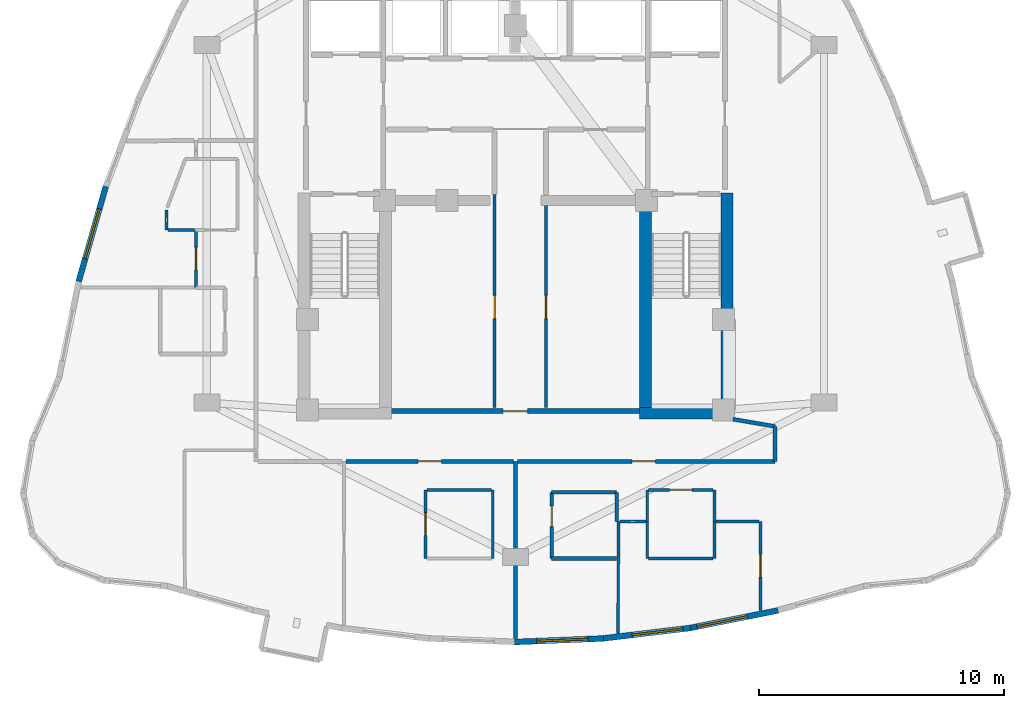
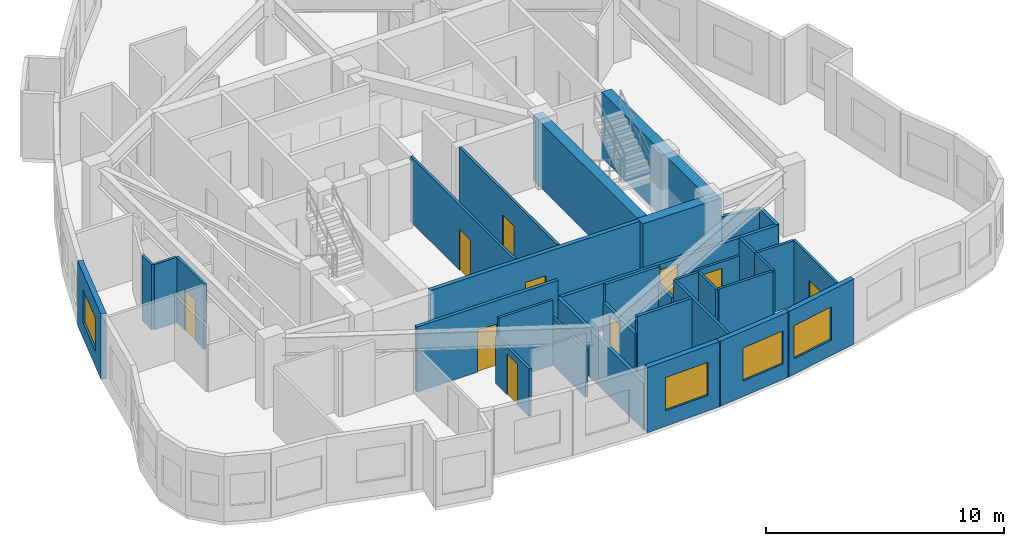
# One storey, part 8 of 13: 35 walls, 10 doors, 4 windows, 14 openings.
"""IFC4 building model written with IfcOpenShell, lengths in metres."""

from ifc_helpers import new_model, si_unit, direction, frame, frame_2d, origin, place, context, subcontext, project, spatial, rectangle, extrude, material, layer, layer_set, type_object, element, fill, save


model = new_model("IFC4")

# Units and contexts
model_context = context("Model", 3, precision=1e-05, world=origin(), true_north=direction((0.0, 1.0)))
body_context = subcontext(model_context, "Body", "Model", "MODEL_VIEW")
ifc_project = project(units=[si_unit("LENGTHUNIT", "METRE"), si_unit("AREAUNIT", "SQUARE_METRE"), si_unit("VOLUMEUNIT", "CUBIC_METRE"), si_unit("PLANEANGLEUNIT", "RADIAN"), si_unit("MASSUNIT", "GRAM", prefix="KILO")], contexts=[model_context])

# Site, building, storey
site_placement = place(None, origin())
site = spatial("IfcSite", under=ifc_project, at=site_placement, CompositionType="ELEMENT")
building_placement = place(site_placement, origin())
building = spatial("IfcBuilding", under=site, at=building_placement, Name="Miruveldt Soraemaru", CompositionType="ELEMENT")
storey_placement = place(building_placement, frame((0.0, 0.0, 198.0)))
storey = spatial("IfcBuildingStorey", under=building, at=storey_placement, Name="L54", CompositionType="ELEMENT", Elevation=198.0)

# Walls
ifc_material_1 = material(Name="Concrete C60/75 (60 MPa)", Category="concrete")
ifc_layer_1 = layer(ifc_material_1, 0.47998046875, Name="Concrete C60/75 (60 MPa)", Category="concrete")
ifc_layer_set_1 = layer_set([ifc_layer_1], Name="Concrete C60/75 (60 MPa)")
wall_type_1 = type_object("IfcWallType", Name="WALL-CW-480", PredefinedType="SHEAR", material=ifc_layer_set_1)
wall_1_placement = place(storey_placement, frame((49.070068359375, 35.360107421875, 0.0), z_axis=(0.0, 0.0, 1.0), x_axis=(1.0, 0.0, 0.0)))
element("IfcWall", 1, at=wall_1_placement, inside=storey, type_object=wall_type_1, Name="L54 Central Core Shear Wall S2", PredefinedType="SHEAR", context=body_context, shape_type="SweptSolid", body=[
    extrude(rectangle(XDim=3.809814453125, YDim=0.47998046875, at=frame_2d((1.90478515625, 0.0))), origin(), (0.0, 0.0, 1.0), 3.344970703125),
])
wall_2_placement = place(storey_placement, frame((52.639892578125, 35.1201171875, 0.0), z_axis=(0.0, 0.0, 1.0), x_axis=(0.0, 1.0, 0.0)))
element("IfcWall", 2, at=wall_2_placement, inside=storey, type_object=wall_type_1, Name="L54 Central Core Shear Wall E1", PredefinedType="SHEAR", context=body_context, shape_type="SweptSolid", body=[
    extrude(rectangle(XDim=9.22998046875, YDim=0.47998046875, at=frame_2d((4.614990234375, 0.0))), origin(), (0.0, 0.0, 1.0), 3.344970703125),
])
wall_3_placement = place(storey_placement, frame((49.31005859375, 35.39990234375, 0.0), z_axis=(0.0, 0.0, 1.0), x_axis=(0.0, 1.0, 0.0)))
element("IfcWall", 3, at=wall_3_placement, inside=storey, type_object=wall_type_1, Name="L54 Central Core Shear Wall SE-INT", PredefinedType="SHEAR", context=body_context, shape_type="SweptSolid", body=[
    extrude(rectangle(XDim=8.9501953125, YDim=0.47998046875, at=frame_2d((4.47509765625, 0.0))), origin(), (0.0, 0.0, 1.0), 3.344970703125),
])

# Wall, opening, window
ifc_material_2 = material(Name="Precast concrete C45/55 (45 MPa)", Category="concrete")
ifc_layer_2 = layer(ifc_material_2, 0.239990234375, Name="Precast concrete C45/55 (45 MPa)", Category="concrete")
ifc_layer_set_2 = layer_set([ifc_layer_2], Name="Precast concrete C45/55 (45 MPa)")
wall_type_2 = type_object("IfcWallType", Name="WALL-EXT-PC240", PredefinedType="SOLIDWALL", material=ifc_layer_set_2)
wall_4_placement = place(storey_placement, frame((27.270263671875, 44.625732421875, 0.0), z_axis=(0.0, 0.0, 1.0), x_axis=(-0.274960878959, -0.961455415005, 0.0)))
wall_4 = element("IfcWall", 4, at=wall_4_placement, inside=storey, type_object=wall_type_2, Name="L54 Precast Concrete Facade Wall 13", PredefinedType="SOLIDWALL", context=body_context, shape_type="SweptSolid", body=[
    extrude(rectangle(XDim=4.03466796875, YDim=0.239990234375, at=frame_2d((2.017333984375, 0.0))), origin(), (0.0, 0.0, 1.0), 3.344970703125),
])
opening_1_placement = place(wall_4_placement, frame((0.9580078125, 0.0, 0.800048828125)))
opening_1 = element("IfcOpeningElement", 5, at=opening_1_placement, cuts=wall_4, Name="Opening WN-1", PredefinedType="OPENING", context=body_context, shape_type="SweptSolid", body=[
    extrude(rectangle(XDim=2.10009765625, YDim=1.699951171875, at=frame_2d((1.050048828125, 0.85009765625))), frame((0.0, 0.1298828125, 0.0), z_axis=(0.0, -1.0, 0.0), x_axis=(1.0, 0.0, 0.0)), (0.0, 0.0, 1.0), 0.260009765625),
])
ifc_material_3 = material(Name="Triple low-e insulated glazing", Category="glass")
window_type = type_object("IfcWindowType", Name="WIN-PUNCH-2100x1700", PartitioningType="SINGLE_PANEL", PredefinedType="WINDOW", material=ifc_material_3)
window_1_placement = place(opening_1_placement, origin())
window_1 = element("IfcWindow", 6, at=window_1_placement, inside=storey, type_object=window_type, Name="L54 Punched Triple-Glazed Window 13.1", OverallHeight=1.699951171875, OverallWidth=2.10009765625, PartitioningType="SINGLE_PANEL", PredefinedType="WINDOW", context=body_context, shape_type="SweptSolid", body=[
    extrude(rectangle(XDim=2.10009765625, YDim=1.699951171875, at=frame_2d((1.050048828125, 0.85009765625))), frame((0.0, 0.030029296875, 0.0), z_axis=(0.0, -1.0, 0.0), x_axis=(1.0, 0.0, 0.0)), (0.0, 0.0, 1.0), 0.06005859375),
])
fill(opening_1, window_1)

wall_5_placement = place(storey_placement, frame((43.965087890625, 26.022705078125, 0.0), z_axis=(0.0, 0.0, 1.0), x_axis=(0.999201387771, 0.039957310688, 0.0)))
wall_5 = element("IfcWall", 7, at=wall_5_placement, inside=storey, type_object=wall_type_2, Name="L54 Precast Concrete Facade Wall 25", PredefinedType="SOLIDWALL", context=body_context, shape_type="SweptSolid", body=[
    extrude(rectangle(XDim=3.635498046875, YDim=0.239990234375, at=frame_2d((1.81787109375, 0.0))), origin(), (0.0, 0.0, 1.0), 3.344970703125),
])
opening_2_placement = place(wall_5_placement, frame((0.907958984375, 0.0, 0.800048828125)))
opening_2 = element("IfcOpeningElement", 8, at=opening_2_placement, cuts=wall_5, Name="Opening WN-1", PredefinedType="OPENING", context=body_context, shape_type="SweptSolid", body=[
    extrude(rectangle(XDim=2.10009765625, YDim=1.699951171875, at=frame_2d((1.050048828125, 0.85009765625))), frame((0.0, 0.1298828125, 0.0), z_axis=(0.0, -1.0, 0.0), x_axis=(1.0, 0.0, 0.0)), (0.0, 0.0, 1.0), 0.260009765625),
])
window_2_placement = place(opening_2_placement, origin())
window_2 = element("IfcWindow", 9, at=window_2_placement, inside=storey, type_object=window_type, Name="L54 Punched Triple-Glazed Window 25.1", OverallHeight=1.699951171875, OverallWidth=2.10009765625, PartitioningType="SINGLE_PANEL", PredefinedType="WINDOW", context=body_context, shape_type="SweptSolid", body=[
    extrude(rectangle(XDim=2.10009765625, YDim=1.699951171875, at=frame_2d((1.050048828125, 0.85009765625))), frame((0.0, 0.030029296875, 0.0), z_axis=(0.0, -1.0, 0.0), x_axis=(1.0, 0.0, 0.0)), (0.0, 0.0, 1.0), 0.06005859375),
])
fill(opening_2, window_2)

wall_6_placement = place(storey_placement, frame((47.52783203125, 26.162353515625, 0.0), z_axis=(0.0, 0.0, 1.0), x_axis=(0.992878733164, 0.119129430577, 0.0)))
wall_6 = element("IfcWall", 10, at=wall_6_placement, inside=storey, type_object=wall_type_2, Name="L54 Precast Concrete Facade Wall 26", PredefinedType="SOLIDWALL", context=body_context, shape_type="SweptSolid", body=[
    extrude(rectangle(XDim=3.658203125, YDim=0.239990234375, at=frame_2d((1.8291015625, 0.0))), origin(), (0.0, 0.0, 1.0), 3.344970703125),
])
opening_3_placement = place(wall_6_placement, frame((1.241943359375, 0.0, 0.800048828125)))
opening_3 = element("IfcOpeningElement", 11, at=opening_3_placement, cuts=wall_6, Name="Opening WN-1", PredefinedType="OPENING", context=body_context, shape_type="SweptSolid", body=[
    extrude(rectangle(XDim=2.10009765625, YDim=1.699951171875, at=frame_2d((1.050048828125, 0.85009765625))), frame((0.0, 0.1298828125, 0.0), z_axis=(0.0, -1.0, 0.0), x_axis=(1.0, 0.0, 0.0)), (0.0, 0.0, 1.0), 0.260009765625),
])
window_3_placement = place(opening_3_placement, origin())
window_3 = element("IfcWindow", 12, at=window_3_placement, inside=storey, type_object=window_type, Name="L54 Punched Triple-Glazed Window 26.1", OverallHeight=1.699951171875, OverallWidth=2.10009765625, PartitioningType="SINGLE_PANEL", PredefinedType="WINDOW", context=body_context, shape_type="SweptSolid", body=[
    extrude(rectangle(XDim=2.10009765625, YDim=1.699951171875, at=frame_2d((1.050048828125, 0.85009765625))), frame((0.0, 0.030029296875, 0.0), z_axis=(0.0, -1.0, 0.0), x_axis=(1.0, 0.0, 0.0)), (0.0, 0.0, 1.0), 0.06005859375),
])
fill(opening_3, window_3)

wall_7_placement = place(storey_placement, frame((51.0908203125, 26.587158203125, 0.0), z_axis=(0.0, 0.0, 1.0), x_axis=(0.980575603831, 0.196141492732, 0.0)))
wall_7 = element("IfcWall", 13, at=wall_7_placement, inside=storey, type_object=wall_type_2, Name="L54 Precast Concrete Facade Wall 27", PredefinedType="SOLIDWALL", context=body_context, shape_type="SweptSolid", body=[
    extrude(rectangle(XDim=3.703125, YDim=0.239990234375, at=frame_2d((1.8515625, 0.0))), origin(), (0.0, 0.0, 1.0), 3.344970703125),
])
opening_4_placement = place(wall_7_placement, frame((0.327880859375, 0.0, 0.800048828125)))
opening_4 = element("IfcOpeningElement", 14, at=opening_4_placement, cuts=wall_7, Name="Opening WN-1", PredefinedType="OPENING", context=body_context, shape_type="SweptSolid", body=[
    extrude(rectangle(XDim=2.10009765625, YDim=1.699951171875, at=frame_2d((1.050048828125, 0.85009765625))), frame((0.0, 0.1298828125, 0.0), z_axis=(0.0, -1.0, 0.0), x_axis=(1.0, 0.0, 0.0)), (0.0, 0.0, 1.0), 0.260009765625),
])
window_4_placement = place(opening_4_placement, origin())
window_4 = element("IfcWindow", 15, at=window_4_placement, inside=storey, type_object=window_type, Name="L54 Punched Triple-Glazed Window 27.1", OverallHeight=1.699951171875, OverallWidth=2.10009765625, PartitioningType="SINGLE_PANEL", PredefinedType="WINDOW", context=body_context, shape_type="SweptSolid", body=[
    extrude(rectangle(XDim=2.10009765625, YDim=1.699951171875, at=frame_2d((1.050048828125, 0.85009765625))), frame((0.0, 0.030029296875, 0.0), z_axis=(0.0, -1.0, 0.0), x_axis=(1.0, 0.0, 0.0)), (0.0, 0.0, 1.0), 0.06005859375),
])
fill(opening_4, window_4)

# Wall, opening, door
ifc_material_4 = material(Name="Gypsum plasterboard lining", Category="gypsum")
ifc_layer_3 = layer(ifc_material_4, 0.1201171875, Name="Gypsum plasterboard lining", Category="gypsum")
ifc_layer_set_3 = layer_set([ifc_layer_3], Name="Gypsum plasterboard lining")
wall_type_3 = type_object("IfcWallType", Name="WALL-INT-P120", PredefinedType="PARTITIONING", material=ifc_layer_set_3)
wall_8_placement = place(storey_placement, frame((43.14990234375, 35.60009765625, 0.0), z_axis=(0.0, 0.0, 1.0), x_axis=(0.0, 1.0, 0.0)))
wall_8 = element("IfcWall", 16, at=wall_8_placement, inside=storey, type_object=wall_type_3, Name="L54 Core Compartment Wall SP-WL", PredefinedType="PARTITIONING", context=body_context, shape_type="SweptSolid", body=[
    extrude(rectangle(XDim=8.699951171875, YDim=0.1201171875, at=frame_2d((4.35009765625, 0.0))), origin(), (0.0, 0.0, 1.0), 3.344970703125),
])
opening_5_placement = place(wall_8_placement, frame((3.625, 0.0, 0.0)))
opening_5 = element("IfcOpeningElement", 17, at=opening_5_placement, cuts=wall_8, Name="Opening D2", PredefinedType="OPENING", context=body_context, shape_type="SweptSolid", body=[
    extrude(rectangle(XDim=0.949951171875, YDim=2.10009765625, at=frame_2d((0.47509765625, 1.050048828125))), frame((0.0, 0.070068359375, 0.0), z_axis=(0.0, -1.0, 0.0), x_axis=(1.0, 0.0, 0.0)), (0.0, 0.0, 1.0), 0.14013671875),
])
ifc_material_5 = material(Name="Anodised aluminium EN AW-6063 T6", Category="aluminium")
door_type_1 = type_object("IfcDoorType", Name="DOOR-INT-950", OperationType="NOTDEFINED", PredefinedType="DOOR", material=ifc_material_5)
door_1_placement = place(opening_5_placement, origin())
door_1 = element("IfcDoor", 18, at=door_1_placement, inside=storey, type_object=door_type_1, Name="L54 Fire Door", OperationType="SINGLE_SWING_LEFT", OverallHeight=2.10009765625, OverallWidth=0.949951171875, PredefinedType="DOOR", context=body_context, shape_type="SweptSolid", body=[
    extrude(rectangle(XDim=0.949951171875, YDim=2.10009765625, at=frame_2d((0.47509765625, 1.050048828125))), frame((0.0, 0.02490234375, 0.0), z_axis=(0.0, -1.0, 0.0), x_axis=(1.0, 0.0, 0.0)), (0.0, 0.0, 1.0), 0.050048828125),
])
fill(opening_5, door_1)

wall_9_placement = place(storey_placement, frame((45.25, 35.60009765625, 0.0), z_axis=(0.0, 0.0, 1.0), x_axis=(0.0, 1.0, 0.0)))
wall_9 = element("IfcWall", 19, at=wall_9_placement, inside=storey, type_object=wall_type_3, Name="L54 Core Compartment Wall SP-EL", PredefinedType="PARTITIONING", context=body_context, shape_type="SweptSolid", body=[
    extrude(rectangle(XDim=8.25, YDim=0.1201171875, at=frame_2d((4.125, 0.0))), origin(), (0.0, 0.0, 1.0), 3.344970703125),
])
opening_6_placement = place(wall_9_placement, frame((3.625, 0.0, 0.0)))
opening_6 = element("IfcOpeningElement", 20, at=opening_6_placement, cuts=wall_9, Name="Opening D2", PredefinedType="OPENING", context=body_context, shape_type="SweptSolid", body=[
    extrude(rectangle(XDim=0.949951171875, YDim=2.10009765625, at=frame_2d((0.47509765625, 1.050048828125))), frame((0.0, 0.070068359375, 0.0), z_axis=(0.0, -1.0, 0.0), x_axis=(1.0, 0.0, 0.0)), (0.0, 0.0, 1.0), 0.14013671875),
])
door_2_placement = place(opening_6_placement, origin())
door_2 = element("IfcDoor", 21, at=door_2_placement, inside=storey, type_object=door_type_1, Name="L54 Fire Door", OperationType="SINGLE_SWING_LEFT", OverallHeight=2.10009765625, OverallWidth=0.949951171875, PredefinedType="DOOR", context=body_context, shape_type="SweptSolid", body=[
    extrude(rectangle(XDim=0.949951171875, YDim=2.10009765625, at=frame_2d((0.47509765625, 1.050048828125))), frame((0.0, 0.02490234375, 0.0), z_axis=(0.0, -1.0, 0.0), x_axis=(1.0, 0.0, 0.0)), (0.0, 0.0, 1.0), 0.050048828125),
])
fill(opening_6, door_2)

wall_10_placement = place(storey_placement, frame((54.012939453125, 30.949951171875, 0.0), z_axis=(0.0, 0.0, 1.0), x_axis=(-0.003015667831, -0.999995452863, 0.0)))
wall_10 = element("IfcWall", 22, at=wall_10_placement, inside=storey, type_object=wall_type_3, Name="L54 Partition Wall 52", PredefinedType="PARTITIONING", context=body_context, shape_type="SweptSolid", body=[
    extrude(rectangle(XDim=3.64306640625, YDim=0.1201171875, at=frame_2d((1.821533203125, 0.0))), origin(), (0.0, 0.0, 1.0), 3.344970703125),
])
opening_7_placement = place(wall_10_placement, frame((1.362060546875, 0.0, 0.0)))
opening_7 = element("IfcOpeningElement", 23, at=opening_7_placement, cuts=wall_10, Name="Opening D3A", PredefinedType="OPENING", context=body_context, shape_type="SweptSolid", body=[
    extrude(rectangle(XDim=0.919921875, YDim=2.10009765625, at=frame_2d((0.4599609375, 1.050048828125))), frame((0.0, 0.070068359375, 0.0), z_axis=(0.0, -1.0, 0.0), x_axis=(1.0, 0.0, 0.0)), (0.0, 0.0, 1.0), 0.14013671875),
])
door_type_2 = type_object("IfcDoorType", Name="DOOR-INT-920", OperationType="NOTDEFINED", PredefinedType="DOOR", material=ifc_material_5)
door_3_placement = place(opening_7_placement, origin())
door_3 = element("IfcDoor", 24, at=door_3_placement, inside=storey, type_object=door_type_2, Name="L54 Unit 5404 BD1 Door", OperationType="SINGLE_SWING_LEFT", OverallHeight=2.10009765625, OverallWidth=0.919921875, PredefinedType="DOOR", context=body_context, shape_type="SweptSolid", body=[
    extrude(rectangle(XDim=0.919921875, YDim=2.10009765625, at=frame_2d((0.4599609375, 1.050048828125))), frame((0.0, 0.02490234375, 0.0), z_axis=(0.0, -1.0, 0.0), x_axis=(1.0, 0.0, 0.0)), (0.0, 0.0, 1.0), 0.050048828125),
])
fill(opening_7, door_3)

wall_11_placement = place(storey_placement, frame((40.322021484375, 32.236083984375, 0.0), z_axis=(0.0, 0.0, 1.0), x_axis=(0.0, -1.0, 0.0)))
wall_11 = element("IfcWall", 25, at=wall_11_placement, inside=storey, type_object=wall_type_3, Name="L54 Partition Wall 28", PredefinedType="PARTITIONING", context=body_context, shape_type="SweptSolid", body=[
    extrude(rectangle(XDim=2.800048828125, YDim=0.1201171875, at=frame_2d((1.39990234375, 0.0))), origin(), (0.0, 0.0, 1.0), 2.43310546875),
])
opening_8_placement = place(wall_11_placement, frame((0.93994140625, 0.0, 0.0)))
opening_8 = element("IfcOpeningElement", 26, at=opening_8_placement, cuts=wall_11, Name="Opening D3A", PredefinedType="OPENING", context=body_context, shape_type="SweptSolid", body=[
    extrude(rectangle(XDim=0.919921875, YDim=2.10009765625, at=frame_2d((0.4599609375, 1.050048828125))), frame((0.0, 0.070068359375, 0.0), z_axis=(0.0, -1.0, 0.0), x_axis=(1.0, 0.0, 0.0)), (0.0, 0.0, 1.0), 0.14013671875),
])
door_4_placement = place(opening_8_placement, origin())
door_4 = element("IfcDoor", 27, at=door_4_placement, inside=storey, type_object=door_type_2, Name="L54 Unit 5402 KIT Door", OperationType="SINGLE_SWING_RIGHT", OverallHeight=2.10009765625, OverallWidth=0.919921875, PredefinedType="DOOR", context=body_context, shape_type="SweptSolid", body=[
    extrude(rectangle(XDim=0.919921875, YDim=2.10009765625, at=frame_2d((0.4599609375, 1.050048828125))), frame((0.0, 0.02490234375, 0.0), z_axis=(0.0, -1.0, 0.0), x_axis=(1.0, 0.0, 0.0)), (0.0, 0.0, 1.0), 0.050048828125),
])
fill(opening_8, door_4)

wall_12_placement = place(storey_placement, frame((52.070068359375, 32.236083984375, 0.0), z_axis=(0.0, 0.0, 1.0), x_axis=(-1.0, 0.0, 0.0)))
wall_12 = element("IfcWall", 28, at=wall_12_placement, inside=storey, type_object=wall_type_3, Name="L54 Partition Wall 48", PredefinedType="PARTITIONING", context=body_context, shape_type="SweptSolid", body=[
    extrude(rectangle(XDim=2.630126953125, YDim=0.1201171875, at=frame_2d((1.31494140625, 0.0))), origin(), (0.0, 0.0, 1.0), 2.43310546875),
])
opening_9_placement = place(wall_12_placement, frame((0.85498046875, 0.0, 0.0)))
opening_9 = element("IfcOpeningElement", 29, at=opening_9_placement, cuts=wall_12, Name="Opening D3A", PredefinedType="OPENING", context=body_context, shape_type="SweptSolid", body=[
    extrude(rectangle(XDim=0.919921875, YDim=2.10009765625, at=frame_2d((0.4599609375, 1.050048828125))), frame((0.0, 0.070068359375, 0.0), z_axis=(0.0, -1.0, 0.0), x_axis=(1.0, 0.0, 0.0)), (0.0, 0.0, 1.0), 0.14013671875),
])
door_5_placement = place(opening_9_placement, origin())
door_5 = element("IfcDoor", 30, at=door_5_placement, inside=storey, type_object=door_type_2, Name="L54 Unit 5404 KIT Door", OperationType="SINGLE_SWING_RIGHT", OverallHeight=2.10009765625, OverallWidth=0.919921875, PredefinedType="DOOR", context=body_context, shape_type="SweptSolid", body=[
    extrude(rectangle(XDim=0.919921875, YDim=2.10009765625, at=frame_2d((0.4599609375, 1.050048828125))), frame((0.0, 0.02490234375, 0.0), z_axis=(0.0, -1.0, 0.0), x_axis=(1.0, 0.0, 0.0)), (0.0, 0.0, 1.0), 0.050048828125),
])
fill(opening_9, door_5)

wall_13_placement = place(storey_placement, frame((30.949951171875, 42.85009765625, 0.0), z_axis=(0.0, 0.0, 1.0), x_axis=(0.0, -1.0, 0.0)))
wall_13 = element("IfcWall", 31, at=wall_13_placement, inside=storey, type_object=wall_type_3, Name="L54 Partition Wall 39", PredefinedType="PARTITIONING", context=body_context, shape_type="SweptSolid", body=[
    extrude(rectangle(XDim=2.34814453125, YDim=0.1201171875, at=frame_2d((1.174072265625, 0.0))), origin(), (0.0, 0.0, 1.0), 3.344970703125),
])
opening_10_placement = place(wall_13_placement, frame((0.714111328125, 0.0, 0.0)))
opening_10 = element("IfcOpeningElement", 32, at=opening_10_placement, cuts=wall_13, Name="Opening D3A", PredefinedType="OPENING", context=body_context, shape_type="SweptSolid", body=[
    extrude(rectangle(XDim=0.919921875, YDim=2.10009765625, at=frame_2d((0.4599609375, 1.050048828125))), frame((0.0, 0.070068359375, 0.0), z_axis=(0.0, -1.0, 0.0), x_axis=(1.0, 0.0, 0.0)), (0.0, 0.0, 1.0), 0.14013671875),
])
door_6_placement = place(opening_10_placement, origin())
door_6 = element("IfcDoor", 33, at=door_6_placement, inside=storey, type_object=door_type_2, Name="L54 Unit 5403 BD1 Door", OperationType="SINGLE_SWING_LEFT", OverallHeight=2.10009765625, OverallWidth=0.919921875, PredefinedType="DOOR", context=body_context, shape_type="SweptSolid", body=[
    extrude(rectangle(XDim=0.919921875, YDim=2.10009765625, at=frame_2d((0.4599609375, 1.050048828125))), frame((0.0, 0.02490234375, 0.0), z_axis=(0.0, -1.0, 0.0), x_axis=(1.0, 0.0, 0.0)), (0.0, 0.0, 1.0), 0.050048828125),
])
fill(opening_10, door_6)

# Walls
wall_14_placement = place(storey_placement, frame((48.193115234375, 26.3779296875, 0.0), z_axis=(0.0, 0.0, 1.0), x_axis=(0.001495165734, 0.999998882239, 0.0)))
element("IfcWall", 34, at=wall_14_placement, inside=storey, type_object=wall_type_3, Name="L54 Partition Wall 64", PredefinedType="PARTITIONING", context=body_context, shape_type="SweptSolid", body=[
    extrude(rectangle(XDim=4.572021484375, YDim=0.1201171875, at=frame_2d((2.2861328125, 0.0))), origin(), (0.0, 0.0, 1.0), 3.344970703125),
])
wall_15_placement = place(storey_placement, frame((43.072021484375, 29.43603515625, 0.0), z_axis=(0.0, 0.0, 1.0), x_axis=(0.0, 1.0, 0.0)))
element("IfcWall", 35, at=wall_15_placement, inside=storey, type_object=wall_type_3, Name="L54 Partition Wall 26", PredefinedType="PARTITIONING", context=body_context, shape_type="SweptSolid", body=[
    extrude(rectangle(XDim=2.800048828125, YDim=0.1201171875, at=frame_2d((1.39990234375, 0.0))), origin(), (0.0, 0.0, 1.0), 2.43310546875),
])
wall_16_placement = place(storey_placement, frame((43.011962890625, 32.236083984375, 0.0), z_axis=(0.0, 0.0, 1.0), x_axis=(-1.0, 0.0, 0.0)))
element("IfcWall", 36, at=wall_16_placement, inside=storey, type_object=wall_type_3, Name="L54 Partition Wall 27", PredefinedType="PARTITIONING", context=body_context, shape_type="SweptSolid", body=[
    extrude(rectangle(XDim=2.6298828125, YDim=0.1201171875, at=frame_2d((1.31494140625, 0.0))), origin(), (0.0, 0.0, 1.0), 3.344970703125),
])
wall_17_placement = place(storey_placement, frame((49.43994140625, 29.43603515625, 0.0), z_axis=(0.0, 0.0, 1.0), x_axis=(1.0, 0.0, 0.0)))
element("IfcWall", 37, at=wall_17_placement, inside=storey, type_object=wall_type_3, Name="L54 Partition Wall 54", PredefinedType="PARTITIONING", context=body_context, shape_type="SweptSolid", body=[
    extrude(rectangle(XDim=2.630126953125, YDim=0.1201171875, at=frame_2d((1.31494140625, 0.0))), origin(), (0.0, 0.0, 1.0), 3.344970703125),
])
wall_18_placement = place(storey_placement, frame((52.18994140625, 30.949951171875, 0.0), z_axis=(0.0, 0.0, 1.0), x_axis=(1.0, 0.0, 0.0)))
element("IfcWall", 38, at=wall_18_placement, inside=storey, type_object=wall_type_3, Name="L54 Partition Wall 51", PredefinedType="PARTITIONING", context=body_context, shape_type="SweptSolid", body=[
    extrude(rectangle(XDim=1.762939453125, YDim=0.1201171875, at=frame_2d((0.88134765625, 0.0))), origin(), (0.0, 0.0, 1.0), 3.344970703125),
])
for number, where, z_axis, x_axis, name in (
    (39, (49.3798828125, 30.949951171875, 0.0), (0.0, 0.0, 1.0), (0.0, -1.0, 0.0), "L54 Partition Wall 53"),
    (40, (52.1298828125, 29.43603515625, 0.0), (0.0, 0.0, 1.0), (0.0, 1.0, 0.0), "L54 Partition Wall 55"),
):
    element("IfcWall", number, at=place(storey_placement, frame(where, z_axis=z_axis, x_axis=x_axis)), inside=storey, type_object=wall_type_3, Name=name, PredefinedType="PARTITIONING", context=body_context, shape_type="SweptSolid", body=[
        extrude(rectangle(XDim=1.513916015625, YDim=0.1201171875, at=frame_2d((0.7568359375, 0.0))), origin(), (0.0, 0.0, 1.0), 3.344970703125),
    ])
wall_19_placement = place(storey_placement, frame((52.1298828125, 30.949951171875, 0.0), z_axis=(0.0, 0.0, 1.0), x_axis=(0.0, 1.0, 0.0)))
element("IfcWall", 41, at=wall_19_placement, inside=storey, type_object=wall_type_3, Name="L54 Partition Wall 47", PredefinedType="PARTITIONING", context=body_context, shape_type="SweptSolid", body=[
    extrude(rectangle(XDim=1.2861328125, YDim=0.1201171875, at=frame_2d((0.64306640625, 0.0))), origin(), (0.0, 0.0, 1.0), 3.344970703125),
])
wall_20_placement = place(storey_placement, frame((49.3798828125, 32.236083984375, 0.0), z_axis=(0.0, 0.0, 1.0), x_axis=(0.0, -1.0, 0.0)))
element("IfcWall", 42, at=wall_20_placement, inside=storey, type_object=wall_type_3, Name="L54 Partition Wall 49", PredefinedType="PARTITIONING", context=body_context, shape_type="SweptSolid", body=[
    extrude(rectangle(XDim=1.2861328125, YDim=0.1201171875, at=frame_2d((0.64306640625, 0.0))), origin(), (0.0, 0.0, 1.0), 2.43310546875),
])
wall_21_placement = place(storey_placement, frame((29.81005859375, 42.85009765625, 0.0), z_axis=(0.0, 0.0, 1.0), x_axis=(1.0, 0.0, 0.0)))
element("IfcWall", 43, at=wall_21_placement, inside=storey, type_object=wall_type_3, Name="L54 Partition Wall 42", PredefinedType="PARTITIONING", context=body_context, shape_type="SweptSolid", body=[
    extrude(rectangle(XDim=1.079833984375, YDim=0.1201171875, at=frame_2d((0.5400390625, 0.0))), origin(), (0.0, 0.0, 1.0), 3.344970703125),
])
wall_22_placement = place(storey_placement, frame((48.260009765625, 30.949951171875, 0.0), z_axis=(0.0, 0.0, 1.0), x_axis=(1.0, 0.0, 0.0)))
element("IfcWall", 44, at=wall_22_placement, inside=storey, type_object=wall_type_3, Name="L54 Partition Wall 50", PredefinedType="PARTITIONING", context=body_context, shape_type="SweptSolid", body=[
    extrude(rectangle(XDim=1.06005859375, YDim=0.1201171875, at=frame_2d((0.530029296875, 0.0))), origin(), (0.0, 0.0, 1.0), 3.344970703125),
])
wall_23_placement = place(storey_placement, frame((29.75, 43.658935546875, 0.0), z_axis=(0.0, 0.0, 1.0), x_axis=(0.0, -1.0, 0.0)))
element("IfcWall", 45, at=wall_23_placement, inside=storey, type_object=wall_type_3, Name="L54 Partition Wall 41", PredefinedType="PARTITIONING", context=body_context, shape_type="SweptSolid", body=[
    extrude(rectangle(XDim=0.808837890625, YDim=0.1201171875, at=frame_2d((0.404296875, 0.0))), origin(), (0.0, 0.0, 1.0), 3.344970703125),
])

# Wall, opening, door
ifc_layer_4 = layer(ifc_material_4, 0.14990234375, Name="Gypsum plasterboard lining", Category="gypsum")
ifc_layer_set_4 = layer_set([ifc_layer_4], Name="Gypsum plasterboard lining")
wall_type_4 = type_object("IfcWallType", Name="WALL-INT-PLUMB", PredefinedType="PLUMBINGWALL", material=ifc_layer_set_4)
wall_24_placement = place(storey_placement, frame((45.47998046875, 32.135986328125, 0.0), z_axis=(0.0, 0.0, 1.0), x_axis=(0.0, -1.0, 0.0)))
wall_24 = element("IfcWall", 46, at=wall_24_placement, inside=storey, type_object=wall_type_4, Name="L54 Partition Wall 45", PredefinedType="PLUMBINGWALL", context=body_context, shape_type="SweptSolid", body=[
    extrude(rectangle(XDim=2.699951171875, YDim=0.14990234375, at=frame_2d((1.35009765625, 0.0))), origin(), (0.0, 0.0, 1.0), 2.43310546875),
])
opening_11_placement = place(wall_24_placement, frame((0.550048828125, 0.0, 0.0)))
opening_11 = element("IfcOpeningElement", 47, at=opening_11_placement, cuts=wall_24, Name="Opening FD3", PredefinedType="OPENING", context=body_context, shape_type="SweptSolid", body=[
    extrude(rectangle(XDim=0.85009765625, YDim=2.10009765625, at=frame_2d((0.425048828125, 1.050048828125))), frame((0.0, 0.0849609375, 0.0), z_axis=(0.0, -1.0, 0.0), x_axis=(1.0, 0.0, 0.0)), (0.0, 0.0, 1.0), 0.169921875),
])
door_type_3 = type_object("IfcDoorType", Name="DOOR-FD3-850", OperationType="NOTDEFINED", PredefinedType="DOOR", material=ifc_material_5)
door_7_placement = place(opening_11_placement, origin())
door_7 = element("IfcDoor", 48, at=door_7_placement, inside=storey, type_object=door_type_3, Name="L54 Unit 5404 BTH Door", OperationType="SINGLE_SWING_LEFT", OverallHeight=2.10009765625, OverallWidth=0.85009765625, PredefinedType="DOOR", context=body_context, shape_type="SweptSolid", body=[
    extrude(rectangle(XDim=0.85009765625, YDim=2.10009765625, at=frame_2d((0.425048828125, 1.050048828125))), frame((0.0, 0.02490234375, 0.0), z_axis=(0.0, -1.0, 0.0), x_axis=(1.0, 0.0, 0.0)), (0.0, 0.0, 1.0), 0.050048828125),
])
fill(opening_11, door_7)

# Walls
wall_25_placement = place(storey_placement, frame((48.1298828125, 30.9501953125, 0.0), z_axis=(0.0, 0.0, 1.0), x_axis=(0.0, 1.0, 0.0)))
element("IfcWall", 49, at=wall_25_placement, inside=storey, type_object=wall_type_4, Name="L54 Partition Wall 43", PredefinedType="PLUMBINGWALL", context=body_context, shape_type="SweptSolid", body=[
    extrude(rectangle(XDim=1.185791015625, YDim=0.14990234375, at=frame_2d((0.5927734375, 0.0))), origin(), (0.0, 0.0, 1.0), 2.43310546875),
])
for number, where, z_axis, x_axis, name in (
    (50, (48.1298828125, 32.135986328125, 0.0), (0.0, 0.0, 1.0), (-1.0, 0.0, 0.0), "L54 Partition Wall 44"),
    (51, (45.47998046875, 29.43603515625, 0.0), (0.0, 0.0, 1.0), (1.0, 0.0, 0.0), "L54 Partition Wall 46"),
):
    element("IfcWall", number, at=place(storey_placement, frame(where, z_axis=z_axis, x_axis=x_axis)), inside=storey, type_object=wall_type_4, Name=name, PredefinedType="PLUMBINGWALL", context=body_context, shape_type="SweptSolid", body=[
        extrude(rectangle(XDim=2.64990234375, YDim=0.14990234375, at=frame_2d((1.324951171875, 0.0))), origin(), (0.0, 0.0, 1.0), 3.344970703125),
    ])

# Wall, opening, door
ifc_material_6 = material(Name="Concrete C40/50 (40 MPa)", Category="concrete")
ifc_layer_5 = layer(ifc_material_6, 0.159912109375, Name="Concrete C40/50 (40 MPa)", Category="concrete")
ifc_layer_set_5 = layer_set([ifc_layer_5], Name="Concrete C40/50 (40 MPa)")
wall_type_5 = type_object("IfcWallType", Name="WALL-INT-RC160", PredefinedType="SOLIDWALL", material=ifc_layer_set_5)
wall_26_placement = place(storey_placement, frame((44.0849609375, 33.39990234375, 0.0), z_axis=(0.0, 0.0, 1.0), x_axis=(1.0, 0.0, 0.0)))
wall_26 = element("IfcWall", 52, at=wall_26_placement, inside=storey, type_object=wall_type_5, Name="L54 Partition Wall 9", PredefinedType="SOLIDWALL", context=body_context, shape_type="SweptSolid", body=[
    extrude(rectangle(XDim=10.51513671875, YDim=0.159912109375, at=frame_2d((5.257568359375, 0.0))), origin(), (0.0, 0.0, 1.0), 2.43310546875),
])
opening_12_placement = place(wall_26_placement, frame((4.680908203125, 0.0, 0.0)))
opening_12 = element("IfcOpeningElement", 53, at=opening_12_placement, cuts=wall_26, Name="Opening FD2", PredefinedType="OPENING", context=body_context, shape_type="SweptSolid", body=[
    extrude(rectangle(XDim=0.949951171875, YDim=2.14990234375, at=frame_2d((0.47509765625, 1.074951171875))), frame((0.0, 0.08984375, 0.0), z_axis=(0.0, -1.0, 0.0), x_axis=(1.0, 0.0, 0.0)), (0.0, 0.0, 1.0), 0.179931640625),
])
door_type_4 = type_object("IfcDoorType", Name="DOOR-FD2-950", OperationType="NOTDEFINED", PredefinedType="DOOR", material=ifc_material_5)
door_8_placement = place(opening_12_placement, origin())
door_8 = element("IfcDoor", 54, at=door_8_placement, inside=storey, type_object=door_type_4, Name="L54 Unit 5404 Entrance Fire Door", OperationType="SINGLE_SWING_RIGHT", OverallHeight=2.14990234375, OverallWidth=0.949951171875, PredefinedType="DOOR", context=body_context, shape_type="SweptSolid", body=[
    extrude(rectangle(XDim=0.949951171875, YDim=2.14990234375, at=frame_2d((0.47509765625, 1.074951171875))), frame((0.0, 0.02490234375, 0.0), z_axis=(0.0, -1.0, 0.0), x_axis=(1.0, 0.0, 0.0)), (0.0, 0.0, 1.0), 0.050048828125),
])
fill(opening_12, door_8)

wall_27_placement = place(storey_placement, frame((37.074951171875, 33.39990234375, 0.0), z_axis=(0.0, 0.0, 1.0), x_axis=(1.0, 0.0, 0.0)))
wall_27 = element("IfcWall", 55, at=wall_27_placement, inside=storey, type_object=wall_type_5, Name="L54 Partition Wall 4", PredefinedType="SOLIDWALL", context=body_context, shape_type="SweptSolid", body=[
    extrude(rectangle(XDim=6.841064453125, YDim=0.159912109375, at=frame_2d((3.42041015625, 0.0))), origin(), (0.0, 0.0, 1.0), 3.344970703125),
])
opening_13_placement = place(wall_27_placement, frame((2.945068359375, 0.0, 0.0)))
opening_13 = element("IfcOpeningElement", 56, at=opening_13_placement, cuts=wall_27, Name="Opening FD2", PredefinedType="OPENING", context=body_context, shape_type="SweptSolid", body=[
    extrude(rectangle(XDim=0.949951171875, YDim=2.14990234375, at=frame_2d((0.47509765625, 1.074951171875))), frame((0.0, 0.08984375, 0.0), z_axis=(0.0, -1.0, 0.0), x_axis=(1.0, 0.0, 0.0)), (0.0, 0.0, 1.0), 0.179931640625),
])
door_9_placement = place(opening_13_placement, origin())
door_9 = element("IfcDoor", 57, at=door_9_placement, inside=storey, type_object=door_type_4, Name="L54 Unit 5402 Entrance Fire Door", OperationType="SINGLE_SWING_LEFT", OverallHeight=2.14990234375, OverallWidth=0.949951171875, PredefinedType="DOOR", context=body_context, shape_type="SweptSolid", body=[
    extrude(rectangle(XDim=0.949951171875, YDim=2.14990234375, at=frame_2d((0.47509765625, 1.074951171875))), frame((0.0, 0.02490234375, 0.0), z_axis=(0.0, -1.0, 0.0), x_axis=(1.0, 0.0, 0.0)), (0.0, 0.0, 1.0), 0.050048828125),
])
fill(opening_13, door_9)

# Walls
wall_28_placement = place(storey_placement, frame((44.0, 26.158935546875, 0.0), z_axis=(0.0, 0.0, 1.0), x_axis=(0.0, 1.0, 0.0)))
element("IfcWall", 58, at=wall_28_placement, inside=storey, type_object=wall_type_5, Name="L54 Partition Wall 31", PredefinedType="SOLIDWALL", context=body_context, shape_type="SweptSolid", body=[
    extrude(rectangle(XDim=7.236083984375, YDim=0.159912109375, at=frame_2d((3.6181640625, 0.0))), origin(), (0.0, 0.0, 1.0), 2.43310546875),
])
wall_29_placement = place(storey_placement, frame((54.60009765625, 34.825927734375, 0.0), z_axis=(0.0, 0.0, 1.0), x_axis=(-0.985689405536, 0.168571634072, 0.0)))
element("IfcWall", 59, at=wall_29_placement, inside=storey, type_object=wall_type_5, Name="L54 Partition Closure Return 2", PredefinedType="SOLIDWALL", context=body_context, shape_type="SweptSolid", body=[
    extrude(rectangle(XDim=1.7451171875, YDim=0.159912109375, at=frame_2d((0.87255859375, 0.0))), origin(), (0.0, 0.0, 1.0), 2.43310546875),
])
wall_30_placement = place(storey_placement, frame((54.60009765625, 33.39990234375, 0.0), z_axis=(0.0, 0.0, 1.0), x_axis=(0.0, 1.0, 0.0)))
element("IfcWall", 60, at=wall_30_placement, inside=storey, type_object=wall_type_5, Name="L54 Partition Wall 10", PredefinedType="SOLIDWALL", context=body_context, shape_type="SweptSolid", body=[
    extrude(rectangle(XDim=1.426025390625, YDim=0.159912109375, at=frame_2d((0.712890625, 0.0))), origin(), (0.0, 0.0, 1.0), 2.43310546875),
])

# Wall, opening, door
ifc_layer_6 = layer(ifc_material_6, 0.199951171875, Name="Concrete C40/50 (40 MPa)", Category="concrete")
ifc_layer_set_6 = layer_set([ifc_layer_6], Name="Concrete C40/50 (40 MPa)")
wall_type_6 = type_object("IfcWallType", Name="WALL-INT-RC200", PredefinedType="SOLIDWALL", material=ifc_layer_set_6)
wall_31_placement = place(storey_placement, frame((38.89990234375, 35.449951171875, 0.0), z_axis=(0.0, 0.0, 1.0), x_axis=(1.0, 0.0, 0.0)))
wall_31 = element("IfcWall", 61, at=wall_31_placement, inside=storey, type_object=wall_type_6, Name="L54 Core Compartment Wall CS-S", PredefinedType="SOLIDWALL", context=body_context, shape_type="SweptSolid", body=[
    extrude(rectangle(XDim=10.2001953125, YDim=0.199951171875, at=frame_2d((5.10009765625, 0.0))), origin(), (0.0, 0.0, 1.0), 3.344970703125),
])
opening_14_placement = place(wall_31_placement, frame((4.60009765625, 0.0, 0.0)))
opening_14 = element("IfcOpeningElement", 62, at=opening_14_placement, cuts=wall_31, Name="Opening FD1", PredefinedType="OPENING", context=body_context, shape_type="SweptSolid", body=[
    extrude(rectangle(XDim=1.0, YDim=2.14990234375, at=frame_2d((0.5, 1.074951171875))), frame((0.0, 0.10986328125, 0.0), z_axis=(0.0, -1.0, 0.0), x_axis=(1.0, 0.0, 0.0)), (0.0, 0.0, 1.0), 0.219970703125),
])
door_type_5 = type_object("IfcDoorType", Name="DOOR-FD1-1000", OperationType="NOTDEFINED", PredefinedType="DOOR", material=ifc_material_5)
door_10_placement = place(opening_14_placement, origin())
door_10 = element("IfcDoor", 63, at=door_10_placement, inside=storey, type_object=door_type_5, Name="L54 Core South Lobby Fire Door", OperationType="SINGLE_SWING_LEFT", OverallHeight=2.14990234375, OverallWidth=1.0, PredefinedType="DOOR", context=body_context, shape_type="SweptSolid", body=[
    extrude(rectangle(XDim=1.0, YDim=2.14990234375, at=frame_2d((0.5, 1.074951171875))), frame((0.0, 0.02490234375, 0.0), z_axis=(0.0, -1.0, 0.0), x_axis=(1.0, 0.0, 0.0)), (0.0, 0.0, 1.0), 0.050048828125),
])
fill(opening_14, door_10)

save(model, "model.ifc")
